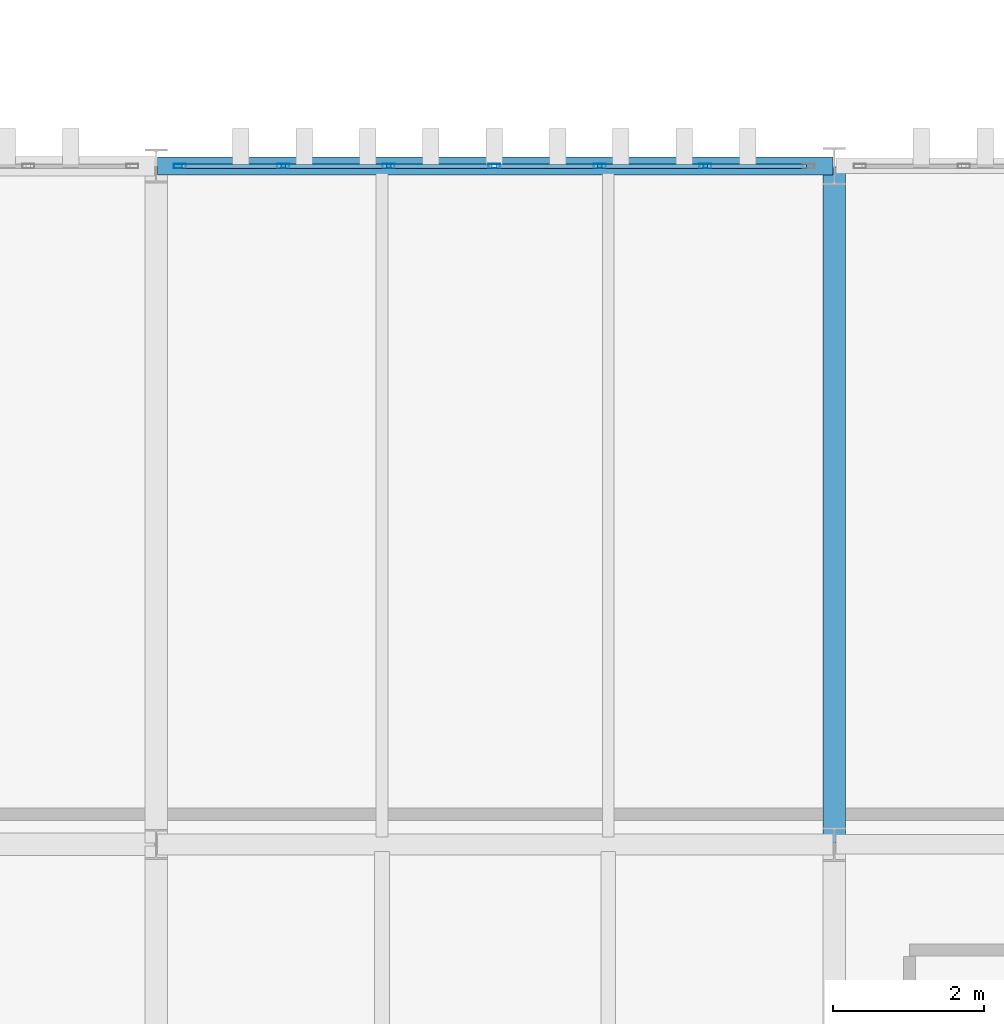
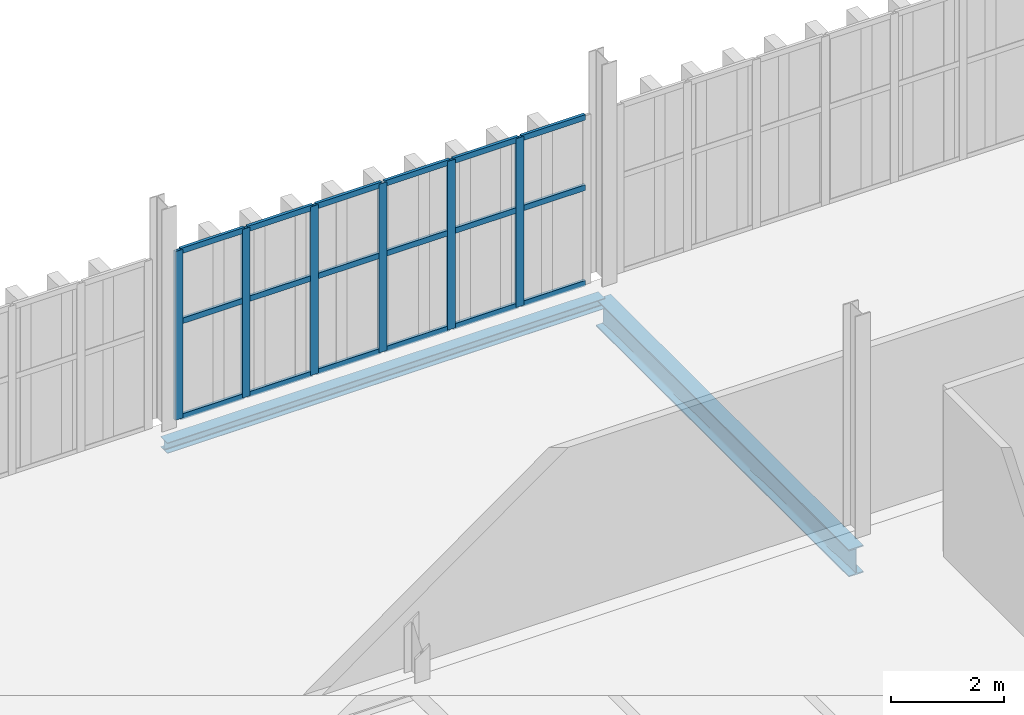
# One storey, part 117 of 196: 24 members, 2 beams, 1 element without a shape of its own.
"""IFC4 building model written with IfcOpenShell, lengths in metres."""

from ifc_helpers import new_model, si_unit, direction, frame, origin, origin_2d, place, context, subcontext, project, spatial, hollow_rectangle, i_section, extrude, material, layer, layer_set, material_profile, profile_set, type_object, element, aggregate, save


model = new_model("IFC4")

# Units and contexts
model_context = context("Model", 3, precision=1e-05, world=origin(), true_north=direction((0.0, 1.0)))
body_context = subcontext(model_context, "Body", "Model", "MODEL_VIEW")
ifc_project = project(units=[si_unit("LENGTHUNIT", "METRE"), si_unit("AREAUNIT", "SQUARE_METRE"), si_unit("VOLUMEUNIT", "CUBIC_METRE"), si_unit("PLANEANGLEUNIT", "RADIAN"), si_unit("MASSUNIT", "GRAM", prefix="KILO")], contexts=[model_context])

# Site, building, storey
site_placement = place(None, origin())
site = spatial("IfcSite", under=ifc_project, at=site_placement, CompositionType="ELEMENT")
building_placement = place(site_placement, origin())
building = spatial("IfcBuilding", under=site, at=building_placement, Name="Barlavento Convention Centre", CompositionType="ELEMENT")
storey_placement = place(building_placement, frame((0.0, 0.0, 18.0)))
storey = spatial("IfcBuildingStorey", under=building, at=storey_placement, Name="L03", CompositionType="ELEMENT", Elevation=18.0)

# Curtain wall, members
ifc_material_1 = material(Name="Powder-coated aluminium and Low-E glass", Category="aluminium")
ifc_layer = layer(ifc_material_1, 0.179931640625)
ifc_layer_set = layer_set([ifc_layer], Name="ARC-CW-PATIO-B")
curtain_wall_type = type_object("IfcCurtainWallType", Name="ARC-CW-PATIO-B", PredefinedType="NOTDEFINED", material=ifc_layer_set)
curtain_wall_placement = place(storey_placement, origin())
curtain_wall = element("IfcCurtainWall", 1, at=curtain_wall_placement, inside=storey, type_object=curtain_wall_type, Name="L03 unitised curtain wall CW12", PredefinedType="NOTDEFINED")
ifc_material_2 = material(Name="Powder-coated aluminium", Category="aluminium")
ifc_material_profile_1 = material_profile(ifc_material_2, hollow_rectangle(XDim=0.06005859375, YDim=0.159912109375, WallThickness=0.00390625, at=origin_2d()), Name="AL-MULL 60x160x4")
ifc_profile_set_1 = profile_set([ifc_material_profile_1], Name="Powder-coated aluminium")
member_type_1 = type_object("IfcMemberType", Name="ARC-CWM-60X160", PredefinedType="MULLION", material=ifc_profile_set_1)
member_1_placement = place(storey_placement, frame((144.31494140625, 63.0, 0.0), z_axis=(0.0, 0.0, 1.0), x_axis=(0.0, 1.0, 0.0)))
member_1 = element("IfcMember", 2, at=member_1_placement, type_object=member_type_1, Name="CW12 mullion 1", PredefinedType="MULLION", context=body_context, shape_type="SweptSolid", body=[
    extrude(hollow_rectangle(XDim=0.06005859375, YDim=0.159912109375, WallThickness=0.00390625, at=origin_2d()), origin(), (0.0, 0.0, 1.0), 3.64990234375),
])
member_2_placement = place(storey_placement, frame((145.685791015625, 63.0, 0.0), z_axis=(0.0, 0.0, 1.0), x_axis=(0.0, 1.0, 0.0)))
member_2 = element("IfcMember", 3, at=member_2_placement, type_object=member_type_1, Name="CW12 mullion 2", PredefinedType="MULLION", context=body_context, shape_type="SweptSolid", body=[
    extrude(hollow_rectangle(XDim=0.06005859375, YDim=0.159912109375, WallThickness=0.00390625, at=origin_2d()), origin(), (0.0, 0.0, 1.0), 3.64990234375),
])
member_3_placement = place(storey_placement, frame((147.086669921875, 63.0, 0.0), z_axis=(0.0, 0.0, 1.0), x_axis=(0.0, 1.0, 0.0)))
member_3 = element("IfcMember", 4, at=member_3_placement, type_object=member_type_1, Name="CW12 mullion 3", PredefinedType="MULLION", context=body_context, shape_type="SweptSolid", body=[
    extrude(hollow_rectangle(XDim=0.06005859375, YDim=0.159912109375, WallThickness=0.00390625, at=origin_2d()), origin(), (0.0, 0.0, 1.0), 3.64990234375),
])
member_4_placement = place(storey_placement, frame((148.487548828125, 63.0, 0.0), z_axis=(0.0, 0.0, 1.0), x_axis=(0.0, 1.0, 0.0)))
member_4 = element("IfcMember", 5, at=member_4_placement, type_object=member_type_1, Name="CW12 mullion 4", PredefinedType="MULLION", context=body_context, shape_type="SweptSolid", body=[
    extrude(hollow_rectangle(XDim=0.06005859375, YDim=0.159912109375, WallThickness=0.00390625, at=origin_2d()), origin(), (0.0, 0.0, 1.0), 3.64990234375),
])
member_5_placement = place(storey_placement, frame((149.888427734375, 63.0, 0.0), z_axis=(0.0, 0.0, 1.0), x_axis=(0.0, 1.0, 0.0)))
member_5 = element("IfcMember", 6, at=member_5_placement, type_object=member_type_1, Name="CW12 mullion 5", PredefinedType="MULLION", context=body_context, shape_type="SweptSolid", body=[
    extrude(hollow_rectangle(XDim=0.06005859375, YDim=0.159912109375, WallThickness=0.00390625, at=origin_2d()), origin(), (0.0, 0.0, 1.0), 3.64990234375),
])
member_6_placement = place(storey_placement, frame((151.2890625, 63.0, 0.0), z_axis=(0.0, 0.0, 1.0), x_axis=(0.0, 1.0, 0.0)))
member_6 = element("IfcMember", 7, at=member_6_placement, type_object=member_type_1, Name="CW12 mullion 6", PredefinedType="MULLION", context=body_context, shape_type="SweptSolid", body=[
    extrude(hollow_rectangle(XDim=0.06005859375, YDim=0.159912109375, WallThickness=0.00390625, at=origin_2d()), origin(), (0.0, 0.0, 1.0), 3.64990234375),
])
ifc_material_profile_2 = material_profile(ifc_material_2, hollow_rectangle(XDim=0.06005859375, YDim=0.1201171875, WallThickness=0.00390625, at=origin_2d()), Name="AL-TRAN 60x120x4")
ifc_profile_set_2 = profile_set([ifc_material_profile_2], Name="Powder-coated aluminium")
member_type_2 = type_object("IfcMemberType", Name="ARC-CWT-60X120", PredefinedType="USERDEFINED", material=ifc_profile_set_2)
member_7_placement = place(storey_placement, frame((144.344970703125, 63.0, 0.030029296875), z_axis=(1.0, 0.0, 0.0), x_axis=(0.0, 1.0, 0.0)))
member_7 = element("IfcMember", 8, at=member_7_placement, type_object=member_type_2, Name="CW12 transom 1.1", ObjectType="TRANSOM", PredefinedType="USERDEFINED", context=body_context, shape_type="SweptSolid", body=[
    extrude(hollow_rectangle(XDim=0.06005859375, YDim=0.1201171875, WallThickness=0.00390625, at=origin_2d()), origin(), (0.0, 0.0, 1.0), 1.310791015625),
])
member_8_placement = place(storey_placement, frame((144.344970703125, 63.0, 2.10009765625), z_axis=(1.0, 0.0, 0.0), x_axis=(0.0, 1.0, 0.0)))
member_8 = element("IfcMember", 9, at=member_8_placement, type_object=member_type_2, Name="CW12 transom 1.2", ObjectType="TRANSOM", PredefinedType="USERDEFINED", context=body_context, shape_type="SweptSolid", body=[
    extrude(hollow_rectangle(XDim=0.06005859375, YDim=0.1201171875, WallThickness=0.00390625, at=origin_2d()), origin(), (0.0, 0.0, 1.0), 1.310791015625),
])
member_9_placement = place(storey_placement, frame((144.344970703125, 63.0, 3.6201171875), z_axis=(1.0, 0.0, 0.0), x_axis=(0.0, 1.0, 0.0)))
member_9 = element("IfcMember", 10, at=member_9_placement, type_object=member_type_2, Name="CW12 transom 1.3", ObjectType="TRANSOM", PredefinedType="USERDEFINED", context=body_context, shape_type="SweptSolid", body=[
    extrude(hollow_rectangle(XDim=0.06005859375, YDim=0.1201171875, WallThickness=0.00390625, at=origin_2d()), origin(), (0.0, 0.0, 1.0), 1.310791015625),
])
member_10_placement = place(storey_placement, frame((145.7158203125, 63.0, 0.030029296875), z_axis=(1.0, 0.0, 0.0), x_axis=(0.0, 1.0, 0.0)))
member_10 = element("IfcMember", 11, at=member_10_placement, type_object=member_type_2, Name="CW12 transom 2.1", ObjectType="TRANSOM", PredefinedType="USERDEFINED", context=body_context, shape_type="SweptSolid", body=[
    extrude(hollow_rectangle(XDim=0.06005859375, YDim=0.1201171875, WallThickness=0.00390625, at=origin_2d()), origin(), (0.0, 0.0, 1.0), 1.3408203125),
])
member_11_placement = place(storey_placement, frame((145.7158203125, 63.0, 2.10009765625), z_axis=(1.0, 0.0, 0.0), x_axis=(0.0, 1.0, 0.0)))
member_11 = element("IfcMember", 12, at=member_11_placement, type_object=member_type_2, Name="CW12 transom 2.2", ObjectType="TRANSOM", PredefinedType="USERDEFINED", context=body_context, shape_type="SweptSolid", body=[
    extrude(hollow_rectangle(XDim=0.06005859375, YDim=0.1201171875, WallThickness=0.00390625, at=origin_2d()), origin(), (0.0, 0.0, 1.0), 1.3408203125),
])
member_12_placement = place(storey_placement, frame((145.7158203125, 63.0, 3.6201171875), z_axis=(1.0, 0.0, 0.0), x_axis=(0.0, 1.0, 0.0)))
member_12 = element("IfcMember", 13, at=member_12_placement, type_object=member_type_2, Name="CW12 transom 2.3", ObjectType="TRANSOM", PredefinedType="USERDEFINED", context=body_context, shape_type="SweptSolid", body=[
    extrude(hollow_rectangle(XDim=0.06005859375, YDim=0.1201171875, WallThickness=0.00390625, at=origin_2d()), origin(), (0.0, 0.0, 1.0), 1.3408203125),
])
member_13_placement = place(storey_placement, frame((147.11669921875, 63.0, 0.030029296875), z_axis=(1.0, 0.0, 0.0), x_axis=(0.0, 1.0, 0.0)))
member_13 = element("IfcMember", 14, at=member_13_placement, type_object=member_type_2, Name="CW12 transom 3.1", ObjectType="TRANSOM", PredefinedType="USERDEFINED", context=body_context, shape_type="SweptSolid", body=[
    extrude(hollow_rectangle(XDim=0.06005859375, YDim=0.1201171875, WallThickness=0.00390625, at=origin_2d()), origin(), (0.0, 0.0, 1.0), 1.3408203125),
])
member_14_placement = place(storey_placement, frame((147.11669921875, 63.0, 2.10009765625), z_axis=(1.0, 0.0, 0.0), x_axis=(0.0, 1.0, 0.0)))
member_14 = element("IfcMember", 15, at=member_14_placement, type_object=member_type_2, Name="CW12 transom 3.2", ObjectType="TRANSOM", PredefinedType="USERDEFINED", context=body_context, shape_type="SweptSolid", body=[
    extrude(hollow_rectangle(XDim=0.06005859375, YDim=0.1201171875, WallThickness=0.00390625, at=origin_2d()), origin(), (0.0, 0.0, 1.0), 1.3408203125),
])
member_15_placement = place(storey_placement, frame((147.11669921875, 63.0, 3.6201171875), z_axis=(1.0, 0.0, 0.0), x_axis=(0.0, 1.0, 0.0)))
member_15 = element("IfcMember", 16, at=member_15_placement, type_object=member_type_2, Name="CW12 transom 3.3", ObjectType="TRANSOM", PredefinedType="USERDEFINED", context=body_context, shape_type="SweptSolid", body=[
    extrude(hollow_rectangle(XDim=0.06005859375, YDim=0.1201171875, WallThickness=0.00390625, at=origin_2d()), origin(), (0.0, 0.0, 1.0), 1.3408203125),
])
member_16_placement = place(storey_placement, frame((148.517578125, 63.0, 0.030029296875), z_axis=(1.0, 0.0, 0.0), x_axis=(0.0, 1.0, 0.0)))
member_16 = element("IfcMember", 17, at=member_16_placement, type_object=member_type_2, Name="CW12 transom 4.1", ObjectType="TRANSOM", PredefinedType="USERDEFINED", context=body_context, shape_type="SweptSolid", body=[
    extrude(hollow_rectangle(XDim=0.06005859375, YDim=0.1201171875, WallThickness=0.00390625, at=origin_2d()), origin(), (0.0, 0.0, 1.0), 1.3408203125),
])
member_17_placement = place(storey_placement, frame((148.517578125, 63.0, 2.10009765625), z_axis=(1.0, 0.0, 0.0), x_axis=(0.0, 1.0, 0.0)))
member_17 = element("IfcMember", 18, at=member_17_placement, type_object=member_type_2, Name="CW12 transom 4.2", ObjectType="TRANSOM", PredefinedType="USERDEFINED", context=body_context, shape_type="SweptSolid", body=[
    extrude(hollow_rectangle(XDim=0.06005859375, YDim=0.1201171875, WallThickness=0.00390625, at=origin_2d()), origin(), (0.0, 0.0, 1.0), 1.3408203125),
])
member_18_placement = place(storey_placement, frame((148.517578125, 63.0, 3.6201171875), z_axis=(1.0, 0.0, 0.0), x_axis=(0.0, 1.0, 0.0)))
member_18 = element("IfcMember", 19, at=member_18_placement, type_object=member_type_2, Name="CW12 transom 4.3", ObjectType="TRANSOM", PredefinedType="USERDEFINED", context=body_context, shape_type="SweptSolid", body=[
    extrude(hollow_rectangle(XDim=0.06005859375, YDim=0.1201171875, WallThickness=0.00390625, at=origin_2d()), origin(), (0.0, 0.0, 1.0), 1.3408203125),
])
member_19_placement = place(storey_placement, frame((149.918212890625, 63.0, 0.030029296875), z_axis=(1.0, 0.0, 0.0), x_axis=(0.0, 1.0, 0.0)))
member_19 = element("IfcMember", 20, at=member_19_placement, type_object=member_type_2, Name="CW12 transom 5.1", ObjectType="TRANSOM", PredefinedType="USERDEFINED", context=body_context, shape_type="SweptSolid", body=[
    extrude(hollow_rectangle(XDim=0.06005859375, YDim=0.1201171875, WallThickness=0.00390625, at=origin_2d()), origin(), (0.0, 0.0, 1.0), 1.341064453125),
])
member_20_placement = place(storey_placement, frame((149.918212890625, 63.0, 2.10009765625), z_axis=(1.0, 0.0, 0.0), x_axis=(0.0, 1.0, 0.0)))
member_20 = element("IfcMember", 21, at=member_20_placement, type_object=member_type_2, Name="CW12 transom 5.2", ObjectType="TRANSOM", PredefinedType="USERDEFINED", context=body_context, shape_type="SweptSolid", body=[
    extrude(hollow_rectangle(XDim=0.06005859375, YDim=0.1201171875, WallThickness=0.00390625, at=origin_2d()), origin(), (0.0, 0.0, 1.0), 1.341064453125),
])
member_21_placement = place(storey_placement, frame((149.918212890625, 63.0, 3.6201171875), z_axis=(1.0, 0.0, 0.0), x_axis=(0.0, 1.0, 0.0)))
member_21 = element("IfcMember", 22, at=member_21_placement, type_object=member_type_2, Name="CW12 transom 5.3", ObjectType="TRANSOM", PredefinedType="USERDEFINED", context=body_context, shape_type="SweptSolid", body=[
    extrude(hollow_rectangle(XDim=0.06005859375, YDim=0.1201171875, WallThickness=0.00390625, at=origin_2d()), origin(), (0.0, 0.0, 1.0), 1.341064453125),
])
member_22_placement = place(storey_placement, frame((151.319091796875, 63.0, 0.030029296875), z_axis=(1.0, 0.0, 0.0), x_axis=(0.0, 1.0, 0.0)))
member_22 = element("IfcMember", 23, at=member_22_placement, type_object=member_type_2, Name="CW12 transom 6.1", ObjectType="TRANSOM", PredefinedType="USERDEFINED", context=body_context, shape_type="SweptSolid", body=[
    extrude(hollow_rectangle(XDim=0.06005859375, YDim=0.1201171875, WallThickness=0.00390625, at=origin_2d()), origin(), (0.0, 0.0, 1.0), 1.310791015625),
])
member_23_placement = place(storey_placement, frame((151.319091796875, 63.0, 2.10009765625), z_axis=(1.0, 0.0, 0.0), x_axis=(0.0, 1.0, 0.0)))
member_23 = element("IfcMember", 24, at=member_23_placement, type_object=member_type_2, Name="CW12 transom 6.2", ObjectType="TRANSOM", PredefinedType="USERDEFINED", context=body_context, shape_type="SweptSolid", body=[
    extrude(hollow_rectangle(XDim=0.06005859375, YDim=0.1201171875, WallThickness=0.00390625, at=origin_2d()), origin(), (0.0, 0.0, 1.0), 1.310791015625),
])
member_24_placement = place(storey_placement, frame((151.319091796875, 63.0, 3.6201171875), z_axis=(1.0, 0.0, 0.0), x_axis=(0.0, 1.0, 0.0)))
member_24 = element("IfcMember", 25, at=member_24_placement, type_object=member_type_2, Name="CW12 transom 6.3", ObjectType="TRANSOM", PredefinedType="USERDEFINED", context=body_context, shape_type="SweptSolid", body=[
    extrude(hollow_rectangle(XDim=0.06005859375, YDim=0.1201171875, WallThickness=0.00390625, at=origin_2d()), origin(), (0.0, 0.0, 1.0), 1.310791015625),
])
aggregate(curtain_wall, [member_1, member_2, member_3, member_4, member_5, member_6, member_7, member_8, member_9, member_10, member_11, member_12, member_13, member_14, member_15, member_16, member_17, member_18, member_19, member_20, member_21, member_22, member_23, member_24])

# Beams
ifc_material_3 = material(Name="Steel S355", Category="steel")
ifc_material_profile_3 = material_profile(ifc_material_3, i_section(OverallWidth=0.300048828125, OverallDepth=0.590087890625, WebThickness=0.012939453125, FlangeThickness=0.02490234375, FilletRadius=0.027099609375, at=origin_2d()), Name="HEA 600")
ifc_profile_set_3 = profile_set([ifc_material_profile_3], Name="Steel S355")
beam_type_1 = type_object("IfcBeamType", Name="STR-BM-PRI-HEA600", PredefinedType="BEAM", material=ifc_profile_set_3)
beam_1_placement = place(storey_placement, frame((153.0, 54.02001953125, -0.68505859375), z_axis=(0.0, 1.0, 0.0), x_axis=(-1.0, 0.0, 0.0)))
element("IfcBeam", 26, at=beam_1_placement, inside=storey, type_object=beam_type_1, Name="L03 grid girder BG18", PredefinedType="BEAM", context=body_context, shape_type="SweptSolid", body=[
    extrude(i_section(OverallWidth=0.300048828125, OverallDepth=0.590087890625, WebThickness=0.012939453125, FlangeThickness=0.02490234375, FilletRadius=0.027099609375, at=origin_2d()), origin(), (0.0, 0.0, 1.0), 8.9599609375),
])
ifc_material_profile_4 = material_profile(ifc_material_3, i_section(OverallWidth=0.239990234375, OverallDepth=0.22998046875, WebThickness=0.007568359375, FlangeThickness=0.011962890625, FilletRadius=0.02099609375, at=origin_2d()), Name="HEA 240")
ifc_profile_set_4 = profile_set([ifc_material_profile_4], Name="Steel S355")
beam_type_2 = type_object("IfcBeamType", Name="STR-BM-SPN-HEA240", PredefinedType="SPANDREL", material=ifc_profile_set_4)
beam_2_placement = place(storey_placement, frame((144.02001953125, 63.0, -0.47509765625), z_axis=(1.0, 0.0, 0.0), x_axis=(0.0, 1.0, 0.0)))
element("IfcBeam", 27, at=beam_2_placement, inside=storey, type_object=beam_type_2, Name="L03 primary girder SP05", PredefinedType="SPANDREL", context=body_context, shape_type="SweptSolid", body=[
    extrude(i_section(OverallWidth=0.239990234375, OverallDepth=0.22998046875, WebThickness=0.007568359375, FlangeThickness=0.011962890625, FilletRadius=0.02099609375, at=origin_2d()), origin(), (0.0, 0.0, 1.0), 8.9599609375),
])

save(model, "model.ifc")
